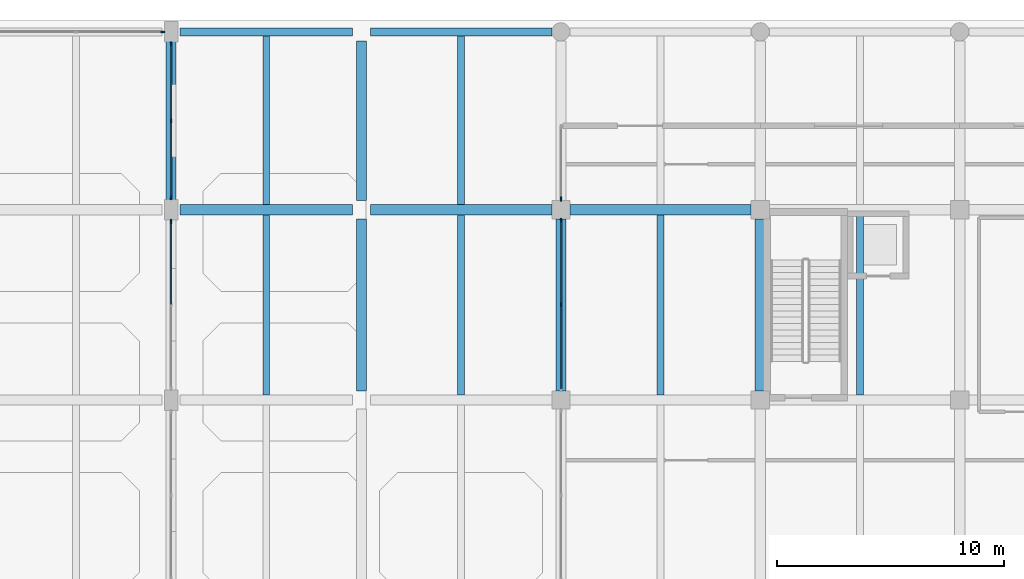
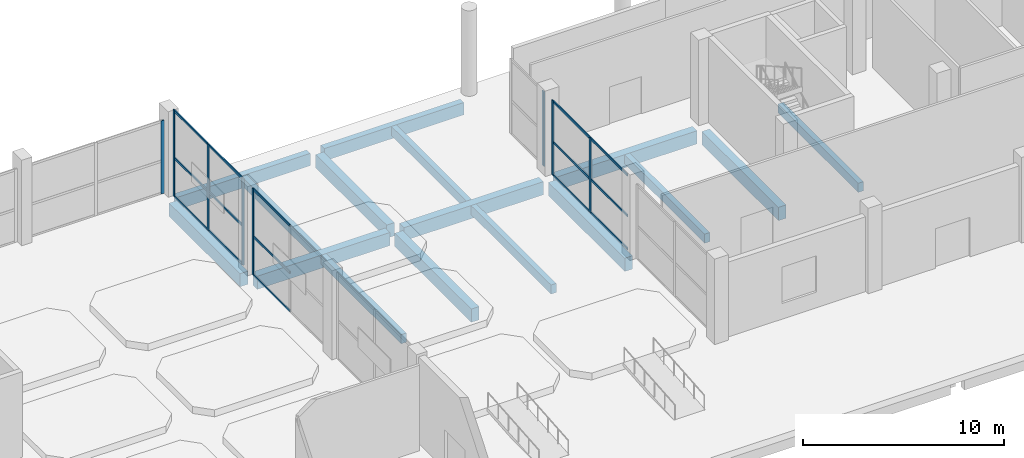
# One storey, part 10 of 34: 23 members, 16 beams, 5 elements without a shape of their own.
"""IFC4 building model written with IfcOpenShell, lengths in metres."""

from ifc_helpers import new_model, si_unit, direction, frame, origin, origin_2d, place, context, subcontext, project, spatial, rectangle, extrude, material, material_profile, profile_set, type_object, element, aggregate, save


model = new_model("IFC4")

# Units and contexts
model_context = context("Model", 3, precision=1e-05, world=origin(), true_north=direction((0.0, 1.0)))
body_context = subcontext(model_context, "Body", "Model", "MODEL_VIEW")
ifc_project = project(units=[si_unit("LENGTHUNIT", "METRE"), si_unit("AREAUNIT", "SQUARE_METRE"), si_unit("VOLUMEUNIT", "CUBIC_METRE"), si_unit("PLANEANGLEUNIT", "RADIAN"), si_unit("MASSUNIT", "GRAM", prefix="KILO")], contexts=[model_context])

# Site, building, storey
site_placement = place(None, origin())
site = spatial("IfcSite", under=ifc_project, at=site_placement, CompositionType="ELEMENT")
building_placement = place(site_placement, origin())
building = spatial("IfcBuilding", under=site, at=building_placement, Name="Brinegate Botanical Conservatory", CompositionType="ELEMENT")
storey_placement = place(building_placement, origin())
storey = spatial("IfcBuildingStorey", under=building, at=storey_placement, Name="L01", CompositionType="ELEMENT", Elevation=0.0)

# Beams
ifc_material_1 = material(Name="Concrete C40/50", Category="concrete")
ifc_material_profile_1 = material_profile(ifc_material_1, rectangle(XDim=0.449951171875, YDim=0.800048828125, at=origin_2d()), Name="RC BM 450x800")
ifc_profile_set_1 = profile_set([ifc_material_profile_1], Name="Concrete C40/50")
beam_type_1 = type_object("IfcBeamType", Name="Beam_BM-G1", PredefinedType="BEAM", material=ifc_profile_set_1)
beam_1_placement = place(storey_placement, frame((34.0, 103.60009765625, -0.804931640625), z_axis=(1.0, 0.0, 0.0), x_axis=(0.0, 1.0, 0.0)))
element("IfcBeam", 1, at=beam_1_placement, inside=storey, type_object=beam_type_1, Name="Beam BM-G1 L01 N:5-6", PredefinedType="BEAM", context=body_context, shape_type="SweptSolid", body=[
    extrude(rectangle(XDim=0.449951171875, YDim=0.800048828125, at=origin_2d()), origin(), (0.0, 0.0, 1.0), 7.60009765625),
])
for number, where, z_axis, x_axis, name in (
    (2, (42.39990234375, 103.60009765625, -0.804931640625), (1.0, 0.0, 0.0), (0.0, 1.0, 0.0), "Beam BM-G1 L01 N:6-7"),
    (3, (51.199951171875, 103.60009765625, -0.804931640625), (1.0, 0.0, 0.0), (0.0, 1.0, 0.0), "Beam BM-G1 L01 N:7-8"),
):
    element("IfcBeam", number, at=place(storey_placement, frame(where, z_axis=z_axis, x_axis=x_axis)), inside=storey, type_object=beam_type_1, Name=name, PredefinedType="BEAM", context=body_context, shape_type="SweptSolid", body=[
        extrude(rectangle(XDim=0.449951171875, YDim=0.800048828125, at=origin_2d()), origin(), (0.0, 0.0, 1.0), 8.0),
    ])
beam_2_placement = place(storey_placement, frame((33.60009765625, 104.0, -0.804931640625), z_axis=(0.0, 1.0, 0.0), x_axis=(-1.0, 0.0, 0.0)))
element("IfcBeam", 4, at=beam_2_placement, inside=storey, type_object=beam_type_1, Name="Beam BM-G1 L01 5:N-P", PredefinedType="BEAM", context=body_context, shape_type="SweptSolid", body=[
    extrude(rectangle(XDim=0.449951171875, YDim=0.800048828125, at=origin_2d()), origin(), (0.0, 0.0, 1.0), 7.050048828125),
])
beam_3_placement = place(storey_placement, frame((42.0, 95.60009765625, -0.804931640625), z_axis=(0.0, 1.0, 0.0), x_axis=(-1.0, 0.0, 0.0)))
element("IfcBeam", 5, at=beam_3_placement, inside=storey, type_object=beam_type_1, Name="Beam BM-G1 L01 6:M-N", PredefinedType="BEAM", context=body_context, shape_type="SweptSolid", body=[
    extrude(rectangle(XDim=0.449951171875, YDim=0.800048828125, at=origin_2d()), origin(), (0.0, 0.0, 1.0), 7.599853515625),
])
beam_4_placement = place(storey_placement, frame((42.0, 104.0, -0.804931640625), z_axis=(0.0, 1.0, 0.0), x_axis=(-1.0, 0.0, 0.0)))
element("IfcBeam", 6, at=beam_4_placement, inside=storey, type_object=beam_type_1, Name="Beam BM-G1 L01 6:N-P", PredefinedType="BEAM", context=body_context, shape_type="SweptSolid", body=[
    extrude(rectangle(XDim=0.449951171875, YDim=0.800048828125, at=origin_2d()), origin(), (0.0, 0.0, 1.0), 7.050048828125),
])
for number, where, z_axis, x_axis, name in (
    (7, (50.800048828125, 95.60009765625, -0.804931640625), (0.0, 1.0, 0.0), (-1.0, 0.0, 0.0), "Beam BM-G1 L01 7:M-N"),
    (8, (59.60009765625, 95.60009765625, -0.804931640625), (0.0, 1.0, 0.0), (-1.0, 0.0, 0.0), "Beam BM-G1 L01 8:M-N"),
):
    element("IfcBeam", number, at=place(storey_placement, frame(where, z_axis=z_axis, x_axis=x_axis)), inside=storey, type_object=beam_type_1, Name=name, PredefinedType="BEAM", context=body_context, shape_type="SweptSolid", body=[
        extrude(rectangle(XDim=0.449951171875, YDim=0.800048828125, at=origin_2d()), origin(), (0.0, 0.0, 1.0), 7.599853515625),
    ])
ifc_material_profile_2 = material_profile(ifc_material_1, rectangle(XDim=0.300048828125, YDim=0.550048828125, at=origin_2d()), Name="RC JST 300x550")
ifc_profile_set_2 = profile_set([ifc_material_profile_2], Name="Concrete C40/50")
beam_type_2 = type_object("IfcBeamType", Name="Beam_JS-C1", PredefinedType="JOIST", material=ifc_profile_set_2)
beam_5_placement = place(storey_placement, frame((37.800048828125, 95.425048828125, -0.679931640625), z_axis=(0.0, 1.0, 0.0), x_axis=(-1.0, 0.0, 0.0)))
element("IfcBeam", 9, at=beam_5_placement, inside=storey, type_object=beam_type_2, Name="Floor joist JS-C1 L01 bay 5.12", PredefinedType="JOIST", context=body_context, shape_type="SweptSolid", body=[
    extrude(rectangle(XDim=0.300048828125, YDim=0.550048828125, at=origin_2d()), origin(), (0.0, 0.0, 1.0), 7.949951171875),
])
beam_6_placement = place(storey_placement, frame((37.800048828125, 103.824951171875, -0.679931640625), z_axis=(0.0, 1.0, 0.0), x_axis=(-1.0, 0.0, 0.0)))
element("IfcBeam", 10, at=beam_6_placement, inside=storey, type_object=beam_type_2, Name="Floor joist JS-C1 L01 bay 5.13", PredefinedType="JOIST", context=body_context, shape_type="SweptSolid", body=[
    extrude(rectangle(XDim=0.300048828125, YDim=0.550048828125, at=origin_2d()), origin(), (0.0, 0.0, 1.0), 7.449951171875),
])
beam_7_placement = place(storey_placement, frame((46.39990234375, 95.425048828125, -0.679931640625), z_axis=(0.0, 1.0, 0.0), x_axis=(-1.0, 0.0, 0.0)))
element("IfcBeam", 11, at=beam_7_placement, inside=storey, type_object=beam_type_2, Name="Floor joist JS-C1 L01 bay 6.12", PredefinedType="JOIST", context=body_context, shape_type="SweptSolid", body=[
    extrude(rectangle(XDim=0.300048828125, YDim=0.550048828125, at=origin_2d()), origin(), (0.0, 0.0, 1.0), 7.949951171875),
])
beam_8_placement = place(storey_placement, frame((46.39990234375, 103.824951171875, -0.679931640625), z_axis=(0.0, 1.0, 0.0), x_axis=(-1.0, 0.0, 0.0)))
element("IfcBeam", 12, at=beam_8_placement, inside=storey, type_object=beam_type_2, Name="Floor joist JS-C1 L01 bay 6.13", PredefinedType="JOIST", context=body_context, shape_type="SweptSolid", body=[
    extrude(rectangle(XDim=0.300048828125, YDim=0.550048828125, at=origin_2d()), origin(), (0.0, 0.0, 1.0), 7.449951171875),
])
for number, where, z_axis, x_axis, name in (
    (13, (55.199951171875, 95.425048828125, -0.679931640625), (0.0, 1.0, 0.0), (-1.0, 0.0, 0.0), "Floor joist JS-C1 L01 bay 7.12"),
    (14, (64.0, 95.425048828125, -0.679931640625), (0.0, 1.0, 0.0), (-1.0, 0.0, 0.0), "Floor joist JS-C1 L01 bay 8.12"),
):
    element("IfcBeam", number, at=place(storey_placement, frame(where, z_axis=z_axis, x_axis=x_axis)), inside=storey, type_object=beam_type_2, Name=name, PredefinedType="JOIST", context=body_context, shape_type="SweptSolid", body=[
        extrude(rectangle(XDim=0.300048828125, YDim=0.550048828125, at=origin_2d()), origin(), (0.0, 0.0, 1.0), 7.949951171875),
    ])
ifc_material_profile_3 = material_profile(ifc_material_1, rectangle(XDim=0.35009765625, YDim=0.75, at=origin_2d()), Name="RC SPN 350x750")
ifc_profile_set_3 = profile_set([ifc_material_profile_3], Name="Concrete C40/50")
beam_type_3 = type_object("IfcBeamType", Name="Beam_SP-01", PredefinedType="SPANDREL", material=ifc_profile_set_3)
beam_9_placement = place(storey_placement, frame((34.0, 111.449951171875, -0.780029296875), z_axis=(1.0, 0.0, 0.0), x_axis=(0.0, 1.0, 0.0)))
element("IfcBeam", 15, at=beam_9_placement, inside=storey, type_object=beam_type_3, Name="Beam SP-01 L01 P:5-6", PredefinedType="SPANDREL", context=body_context, shape_type="SweptSolid", body=[
    extrude(rectangle(XDim=0.35009765625, YDim=0.75, at=origin_2d()), origin(), (0.0, 0.0, 1.0), 7.60009765625),
])
beam_10_placement = place(storey_placement, frame((42.39990234375, 111.449951171875, -0.780029296875), z_axis=(1.0, 0.0, 0.0), x_axis=(0.0, 1.0, 0.0)))
element("IfcBeam", 16, at=beam_10_placement, inside=storey, type_object=beam_type_3, Name="Beam SP-01 L01 P:6-7", PredefinedType="SPANDREL", context=body_context, shape_type="SweptSolid", body=[
    extrude(rectangle(XDim=0.35009765625, YDim=0.75, at=origin_2d()), origin(), (0.0, 0.0, 1.0), 8.0),
])

# Curtain wall, member
ifc_material_2 = material(Name="Thermally broken anodised aluminium AW-6063-T6", Category="aluminium")
curtain_wall_type_1 = type_object("IfcCurtainWallType", Name="CW_CW-V1", PredefinedType="USERDEFINED", material=ifc_material_2)
curtain_wall_1_placement = place(storey_placement, origin())
curtain_wall_1 = element("IfcCurtainWall", 17, at=curtain_wall_1_placement, inside=storey, type_object=curtain_wall_type_1, Name="Conservatory north curtain wall L01.4", ObjectType="FACTORY CURTAIN WALL", PredefinedType="USERDEFINED")
ifc_material_profile_4 = material_profile(ifc_material_2, rectangle(XDim=0.06494140625, YDim=0.179931640625, at=origin_2d()), Name="ALUM MULLION 65x180")
ifc_profile_set_4 = profile_set([ifc_material_profile_4], Name="Thermally broken anodised aluminium AW-6063-T6")
member_type_1 = type_object("IfcMemberType", Name="Member_ML-02", PredefinedType="MULLION", material=ifc_profile_set_4)
member_1_placement = place(storey_placement, frame((33.2275390625, 111.449951171875, 0.0), z_axis=(0.0, 0.0, 1.0), x_axis=(0.0, 1.0, 0.0)))
member_1 = element("IfcMember", 18, at=member_1_placement, type_object=member_type_1, Name="CW-V1 mullion 3", PredefinedType="MULLION", context=body_context, shape_type="SweptSolid", body=[
    extrude(rectangle(XDim=0.06494140625, YDim=0.179931640625, at=origin_2d()), origin(), (0.0, 0.0, 1.0), 4.429931640625),
])
aggregate(curtain_wall_1, [member_1])

curtain_wall_2_placement = place(storey_placement, origin())
curtain_wall_2 = element("IfcCurtainWall", 19, at=curtain_wall_2_placement, inside=storey, type_object=curtain_wall_type_1, Name="Conservatory east curtain wall L01.3", ObjectType="FACTORY CURTAIN WALL", PredefinedType="USERDEFINED")
member_2_placement = place(storey_placement, frame((33.60009765625, 103.077392578125, 0.0), z_axis=(0.0, 0.0, 1.0), x_axis=(1.0, 0.0, 0.0)))
member_2 = element("IfcMember", 20, at=member_2_placement, type_object=member_type_1, Name="CW-V1 mullion 1", PredefinedType="MULLION", context=body_context, shape_type="SweptSolid", body=[
    extrude(rectangle(XDim=0.06494140625, YDim=0.179931640625, at=origin_2d()), origin(), (0.0, 0.0, 1.0), 5.239990234375),
])

# Curtain wall, members
curtain_wall_3_placement = place(storey_placement, origin())
curtain_wall_3 = element("IfcCurtainWall", 21, at=curtain_wall_3_placement, inside=storey, type_object=curtain_wall_type_1, Name="Conservatory east curtain wall L01.4", ObjectType="FACTORY CURTAIN WALL", PredefinedType="USERDEFINED")
member_3_placement = place(storey_placement, frame((33.60009765625, 110.927490234375, 0.0), z_axis=(0.0, 0.0, 1.0), x_axis=(1.0, 0.0, 0.0)))
member_3 = element("IfcMember", 22, at=member_3_placement, type_object=member_type_1, Name="CW-V1 mullion 1", PredefinedType="MULLION", context=body_context, shape_type="SweptSolid", body=[
    extrude(rectangle(XDim=0.06494140625, YDim=0.179931640625, at=origin_2d()), origin(), (0.0, 0.0, 1.0), 5.239990234375),
])
member_4_placement = place(storey_placement, frame((33.60009765625, 107.52490234375, 0.0), z_axis=(0.0, 0.0, 1.0), x_axis=(1.0, 0.0, 0.0)))
member_4 = element("IfcMember", 23, at=member_4_placement, type_object=member_type_1, Name="CW-V1 mullion 2", PredefinedType="MULLION", context=body_context, shape_type="SweptSolid", body=[
    extrude(rectangle(XDim=0.06494140625, YDim=0.179931640625, at=origin_2d()), origin(), (0.0, 0.0, 1.0), 5.239990234375),
])
member_5_placement = place(storey_placement, frame((33.60009765625, 104.12255859375, 0.0), z_axis=(0.0, 0.0, 1.0), x_axis=(1.0, 0.0, 0.0)))
member_5 = element("IfcMember", 24, at=member_5_placement, type_object=member_type_1, Name="CW-V1 mullion 3", PredefinedType="MULLION", context=body_context, shape_type="SweptSolid", body=[
    extrude(rectangle(XDim=0.06494140625, YDim=0.179931640625, at=origin_2d()), origin(), (0.0, 0.0, 1.0), 5.239990234375),
])

curtain_wall_type_2 = type_object("IfcCurtainWallType", Name="CW_CW-V3", PredefinedType="USERDEFINED", material=ifc_material_2)
curtain_wall_4_placement = place(storey_placement, origin())
curtain_wall_4 = element("IfcCurtainWall", 25, at=curtain_wall_4_placement, inside=storey, type_object=curtain_wall_type_2, Name="Visitor west forecourt curtain wall L01.2", ObjectType="FACTORY CURTAIN WALL", PredefinedType="USERDEFINED")
member_6_placement = place(storey_placement, frame((50.800048828125, 99.39990234375, 0.0), z_axis=(0.0, 0.0, 1.0), x_axis=(-1.0, 0.0, 0.0)))
member_6 = element("IfcMember", 26, at=member_6_placement, type_object=member_type_1, Name="CW-V3 mullion 2", PredefinedType="MULLION", context=body_context, shape_type="SweptSolid", body=[
    extrude(rectangle(XDim=0.06494140625, YDim=0.179931640625, at=origin_2d()), origin(), (0.0, 0.0, 1.0), 4.530029296875),
])
member_7_placement = place(storey_placement, frame((50.800048828125, 103.12744140625, 0.0), z_axis=(0.0, 0.0, 1.0), x_axis=(-1.0, 0.0, 0.0)))
member_7 = element("IfcMember", 27, at=member_7_placement, type_object=member_type_1, Name="CW-V3 mullion 3", PredefinedType="MULLION", context=body_context, shape_type="SweptSolid", body=[
    extrude(rectangle(XDim=0.06494140625, YDim=0.179931640625, at=origin_2d()), origin(), (0.0, 0.0, 1.0), 4.530029296875),
])

# Curtain wall, member
curtain_wall_5_placement = place(storey_placement, origin())
curtain_wall_5 = element("IfcCurtainWall", 28, at=curtain_wall_5_placement, inside=storey, type_object=curtain_wall_type_2, Name="Visitor west forecourt curtain wall L01.3", ObjectType="FACTORY CURTAIN WALL", PredefinedType="USERDEFINED")
member_8_placement = place(storey_placement, frame((50.800048828125, 104.072509765625, 0.0), z_axis=(0.0, 0.0, 1.0), x_axis=(-1.0, 0.0, 0.0)))
member_8 = element("IfcMember", 29, at=member_8_placement, type_object=member_type_1, Name="CW-V3 mullion 1", PredefinedType="MULLION", context=body_context, shape_type="SweptSolid", body=[
    extrude(rectangle(XDim=0.06494140625, YDim=0.179931640625, at=origin_2d()), origin(), (0.0, 0.0, 1.0), 4.530029296875),
])
aggregate(curtain_wall_5, [member_8])

# Member
ifc_material_profile_5 = material_profile(ifc_material_2, rectangle(XDim=0.06494140625, YDim=0.135009765625, at=origin_2d()), Name="ALUM TRANSOM 65x135")
ifc_profile_set_5 = profile_set([ifc_material_profile_5], Name="Thermally broken anodised aluminium AW-6063-T6")
member_type_2 = type_object("IfcMemberType", Name="Member_TR-02", PredefinedType="USERDEFINED", material=ifc_profile_set_5)
member_9_placement = place(storey_placement, frame((33.60009765625, 103.044921875, 0.032470703125), z_axis=(0.0, -1.0, 0.0), x_axis=(1.0, 0.0, 0.0)))
member_9 = element("IfcMember", 30, at=member_9_placement, type_object=member_type_2, Name="CW-V1 transom 1.1", ObjectType="TRANSOM", PredefinedType="USERDEFINED", context=body_context, shape_type="SweptSolid", body=[
    extrude(rectangle(XDim=0.06494140625, YDim=0.135009765625, at=origin_2d()), origin(), (0.0, 0.0, 1.0), 3.6123046875),
])

member_10_placement = place(storey_placement, frame((33.60009765625, 103.044921875, 2.35791015625), z_axis=(0.0, -1.0, 0.0), x_axis=(1.0, 0.0, 0.0)))
member_10 = element("IfcMember", 31, at=member_10_placement, type_object=member_type_2, Name="CW-V1 transom 1.2", ObjectType="TRANSOM", PredefinedType="USERDEFINED", context=body_context, shape_type="SweptSolid", body=[
    extrude(rectangle(XDim=0.06494140625, YDim=0.135009765625, at=origin_2d()), origin(), (0.0, 0.0, 1.0), 3.6123046875),
])

member_11_placement = place(storey_placement, frame((33.60009765625, 103.044921875, 5.20751953125), z_axis=(0.0, -1.0, 0.0), x_axis=(1.0, 0.0, 0.0)))
member_11 = element("IfcMember", 32, at=member_11_placement, type_object=member_type_2, Name="CW-V1 transom 1.3", ObjectType="TRANSOM", PredefinedType="USERDEFINED", context=body_context, shape_type="SweptSolid", body=[
    extrude(rectangle(XDim=0.06494140625, YDim=0.135009765625, at=origin_2d()), origin(), (0.0, 0.0, 1.0), 3.6123046875),
])

aggregate(curtain_wall_2, [member_2, member_9, member_10, member_11])

member_12_placement = place(storey_placement, frame((33.60009765625, 110.89501953125, 0.032470703125), z_axis=(0.0, -1.0, 0.0), x_axis=(1.0, 0.0, 0.0)))
member_12 = element("IfcMember", 33, at=member_12_placement, type_object=member_type_2, Name="CW-V1 transom 1.1", ObjectType="TRANSOM", PredefinedType="USERDEFINED", context=body_context, shape_type="SweptSolid", body=[
    extrude(rectangle(XDim=0.06494140625, YDim=0.135009765625, at=origin_2d()), origin(), (0.0, 0.0, 1.0), 3.33740234375),
])

member_13_placement = place(storey_placement, frame((33.60009765625, 110.89501953125, 2.35791015625), z_axis=(0.0, -1.0, 0.0), x_axis=(1.0, 0.0, 0.0)))
member_13 = element("IfcMember", 34, at=member_13_placement, type_object=member_type_2, Name="CW-V1 transom 1.2", ObjectType="TRANSOM", PredefinedType="USERDEFINED", context=body_context, shape_type="SweptSolid", body=[
    extrude(rectangle(XDim=0.06494140625, YDim=0.135009765625, at=origin_2d()), origin(), (0.0, 0.0, 1.0), 3.33740234375),
])

member_14_placement = place(storey_placement, frame((33.60009765625, 110.89501953125, 5.20751953125), z_axis=(0.0, -1.0, 0.0), x_axis=(1.0, 0.0, 0.0)))
member_14 = element("IfcMember", 35, at=member_14_placement, type_object=member_type_2, Name="CW-V1 transom 1.3", ObjectType="TRANSOM", PredefinedType="USERDEFINED", context=body_context, shape_type="SweptSolid", body=[
    extrude(rectangle(XDim=0.06494140625, YDim=0.135009765625, at=origin_2d()), origin(), (0.0, 0.0, 1.0), 3.33740234375),
])

member_15_placement = place(storey_placement, frame((33.60009765625, 107.492431640625, 0.032470703125), z_axis=(0.0, -1.0, 0.0), x_axis=(1.0, 0.0, 0.0)))
member_15 = element("IfcMember", 36, at=member_15_placement, type_object=member_type_2, Name="CW-V1 transom 2.1", ObjectType="TRANSOM", PredefinedType="USERDEFINED", context=body_context, shape_type="SweptSolid", body=[
    extrude(rectangle(XDim=0.06494140625, YDim=0.135009765625, at=origin_2d()), origin(), (0.0, 0.0, 1.0), 3.33740234375),
])

member_16_placement = place(storey_placement, frame((33.60009765625, 107.492431640625, 2.35791015625), z_axis=(0.0, -1.0, 0.0), x_axis=(1.0, 0.0, 0.0)))
member_16 = element("IfcMember", 37, at=member_16_placement, type_object=member_type_2, Name="CW-V1 transom 2.2", ObjectType="TRANSOM", PredefinedType="USERDEFINED", context=body_context, shape_type="SweptSolid", body=[
    extrude(rectangle(XDim=0.06494140625, YDim=0.135009765625, at=origin_2d()), origin(), (0.0, 0.0, 1.0), 3.33740234375),
])

member_17_placement = place(storey_placement, frame((33.60009765625, 107.492431640625, 5.20751953125), z_axis=(0.0, -1.0, 0.0), x_axis=(1.0, 0.0, 0.0)))
member_17 = element("IfcMember", 38, at=member_17_placement, type_object=member_type_2, Name="CW-V1 transom 2.3", ObjectType="TRANSOM", PredefinedType="USERDEFINED", context=body_context, shape_type="SweptSolid", body=[
    extrude(rectangle(XDim=0.06494140625, YDim=0.135009765625, at=origin_2d()), origin(), (0.0, 0.0, 1.0), 3.33740234375),
])

aggregate(curtain_wall_3, [member_3, member_4, member_5, member_12, member_13, member_14, member_15, member_16, member_17])

member_18_placement = place(storey_placement, frame((50.800048828125, 95.705078125, 0.032470703125), z_axis=(0.0, 1.0, 0.0), x_axis=(-1.0, 0.0, 0.0)))
member_18 = element("IfcMember", 39, at=member_18_placement, type_object=member_type_2, Name="CW-V3 transom 1.1", ObjectType="TRANSOM", PredefinedType="USERDEFINED", context=body_context, shape_type="SweptSolid", body=[
    extrude(rectangle(XDim=0.06494140625, YDim=0.135009765625, at=origin_2d()), origin(), (0.0, 0.0, 1.0), 3.662353515625),
])

member_19_placement = place(storey_placement, frame((50.800048828125, 95.705078125, 2.0380859375), z_axis=(0.0, 1.0, 0.0), x_axis=(-1.0, 0.0, 0.0)))
member_19 = element("IfcMember", 40, at=member_19_placement, type_object=member_type_2, Name="CW-V3 transom 1.2", ObjectType="TRANSOM", PredefinedType="USERDEFINED", context=body_context, shape_type="SweptSolid", body=[
    extrude(rectangle(XDim=0.06494140625, YDim=0.135009765625, at=origin_2d()), origin(), (0.0, 0.0, 1.0), 3.662353515625),
])

member_20_placement = place(storey_placement, frame((50.800048828125, 95.705078125, 4.49755859375), z_axis=(0.0, 1.0, 0.0), x_axis=(-1.0, 0.0, 0.0)))
member_20 = element("IfcMember", 41, at=member_20_placement, type_object=member_type_2, Name="CW-V3 transom 1.3", ObjectType="TRANSOM", PredefinedType="USERDEFINED", context=body_context, shape_type="SweptSolid", body=[
    extrude(rectangle(XDim=0.06494140625, YDim=0.135009765625, at=origin_2d()), origin(), (0.0, 0.0, 1.0), 3.662353515625),
])

member_21_placement = place(storey_placement, frame((50.800048828125, 99.4326171875, 0.032470703125), z_axis=(0.0, 1.0, 0.0), x_axis=(-1.0, 0.0, 0.0)))
member_21 = element("IfcMember", 42, at=member_21_placement, type_object=member_type_2, Name="CW-V3 transom 2.1", ObjectType="TRANSOM", PredefinedType="USERDEFINED", context=body_context, shape_type="SweptSolid", body=[
    extrude(rectangle(XDim=0.06494140625, YDim=0.135009765625, at=origin_2d()), origin(), (0.0, 0.0, 1.0), 3.662353515625),
])

member_22_placement = place(storey_placement, frame((50.800048828125, 99.4326171875, 2.0380859375), z_axis=(0.0, 1.0, 0.0), x_axis=(-1.0, 0.0, 0.0)))
member_22 = element("IfcMember", 43, at=member_22_placement, type_object=member_type_2, Name="CW-V3 transom 2.2", ObjectType="TRANSOM", PredefinedType="USERDEFINED", context=body_context, shape_type="SweptSolid", body=[
    extrude(rectangle(XDim=0.06494140625, YDim=0.135009765625, at=origin_2d()), origin(), (0.0, 0.0, 1.0), 3.662353515625),
])

member_23_placement = place(storey_placement, frame((50.800048828125, 99.4326171875, 4.49755859375), z_axis=(0.0, 1.0, 0.0), x_axis=(-1.0, 0.0, 0.0)))
member_23 = element("IfcMember", 44, at=member_23_placement, type_object=member_type_2, Name="CW-V3 transom 2.3", ObjectType="TRANSOM", PredefinedType="USERDEFINED", context=body_context, shape_type="SweptSolid", body=[
    extrude(rectangle(XDim=0.06494140625, YDim=0.135009765625, at=origin_2d()), origin(), (0.0, 0.0, 1.0), 3.662353515625),
])

aggregate(curtain_wall_4, [member_6, member_7, member_18, member_19, member_20, member_21, member_22, member_23])

save(model, "model.ifc")
